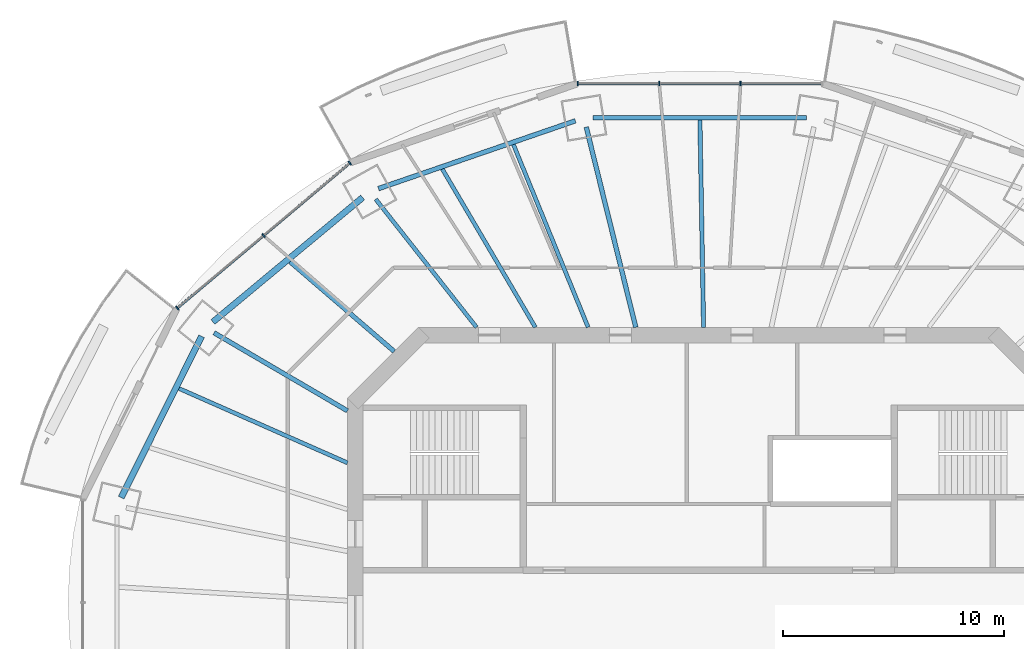
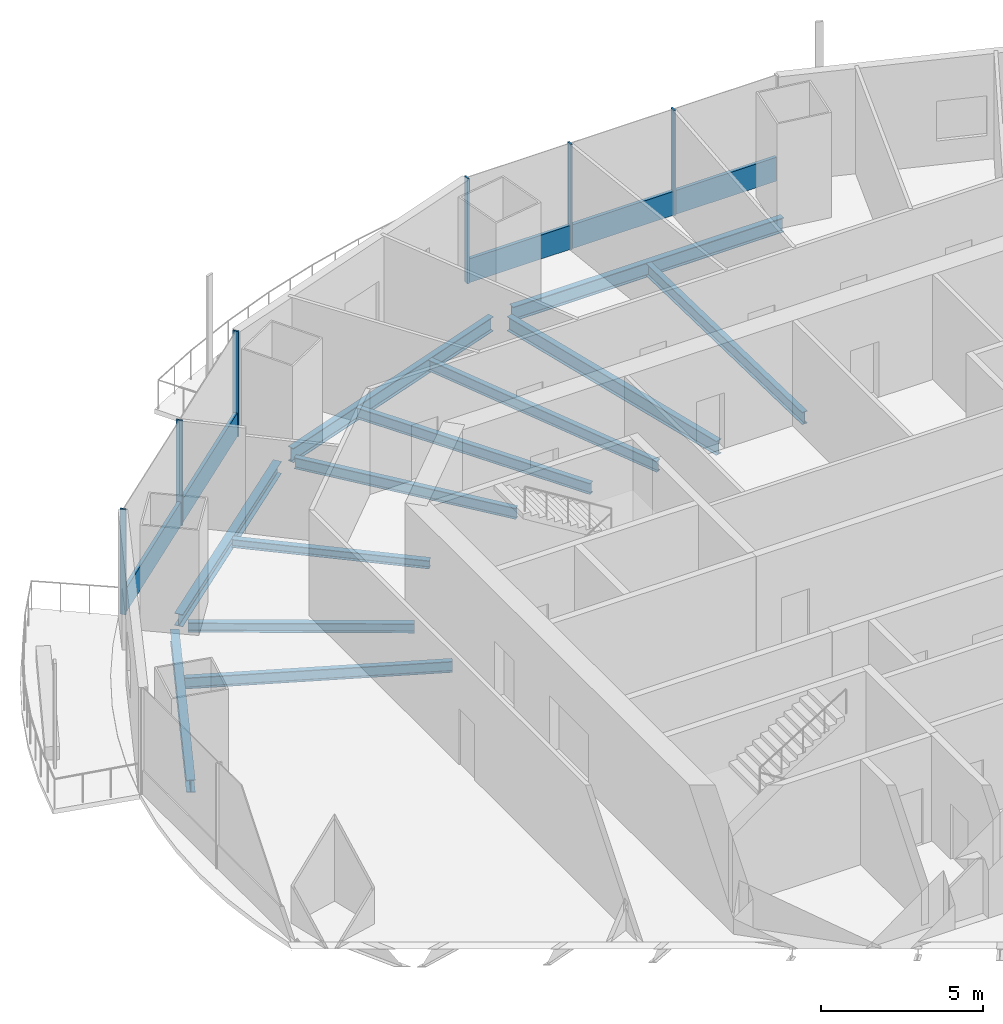
# One storey, part 5 of 16: 12 beams, 8 members, 2 elements without a shape of their own.
"""IFC4 building model written with IfcOpenShell, lengths in metres."""

from ifc_helpers import new_model, si_unit, direction, frame, origin, origin_2d, place, context, subcontext, project, spatial, rectangle, i_section, extrude, material, material_profile, profile_set, type_object, element, aggregate, save


model = new_model("IFC4")

# Units and contexts
model_context = context("Model", 3, precision=1e-05, world=origin(), true_north=direction((0.0, 1.0)))
body_context = subcontext(model_context, "Body", "Model", "MODEL_VIEW")
ifc_project = project(units=[si_unit("LENGTHUNIT", "METRE"), si_unit("AREAUNIT", "SQUARE_METRE"), si_unit("VOLUMEUNIT", "CUBIC_METRE"), si_unit("PLANEANGLEUNIT", "RADIAN"), si_unit("MASSUNIT", "GRAM", prefix="KILO")], contexts=[model_context])

# Site, building, storey
site_placement = place(None, origin())
site = spatial("IfcSite", under=ifc_project, at=site_placement, CompositionType="ELEMENT")
building_placement = place(site_placement, origin())
building = spatial("IfcBuilding", under=site, at=building_placement, Name="Marenthal Gate Tower", CompositionType="ELEMENT")
storey_placement = place(building_placement, frame((0.0, 0.0, 305.25)))
storey = spatial("IfcBuildingStorey", under=building, at=storey_placement, Name="L68", CompositionType="ELEMENT", Elevation=305.25)

# Curtain wall, members
ifc_material_1 = material(Name="Aluminium and glass", Category="aluminium")
curtain_wall_type = type_object("IfcCurtainWallType", Name="Curtain wall typical high", PredefinedType="NOTDEFINED", material=ifc_material_1)
curtain_wall_1_placement = place(storey_placement, origin())
curtain_wall_1 = element("IfcCurtainWall", 1, at=curtain_wall_1_placement, inside=storey, type_object=curtain_wall_type, Name="Curtain wall L68 bay 4", PredefinedType="NOTDEFINED")
ifc_material_2 = material(Name="Aluminium", Category="aluminium")
ifc_material_profile_1 = material_profile(ifc_material_2, rectangle(XDim=0.199951171875, YDim=0.06005859375, at=origin_2d()), Name="60x200 aluminium mullion")
ifc_profile_set_1 = profile_set([ifc_material_profile_1], Name="Aluminium")
member_type_1 = type_object("IfcMemberType", Name="Mullion 60x200 typical high", PredefinedType="MULLION", material=ifc_profile_set_1)
member_1_placement = place(storey_placement, frame((1.44189453125, 24.3779296875, 0.0), z_axis=(0.0, 0.0, 1.0), x_axis=(0.0, -1.0, 0.0)))
member_1 = element("IfcMember", 2, at=member_1_placement, type_object=member_type_1, Name="Mullion L68 bay 4.2", PredefinedType="MULLION", context=body_context, shape_type="SweptSolid", body=[
    extrude(rectangle(XDim=0.199951171875, YDim=0.06005859375, at=origin_2d()), origin(), (0.0, 0.0, 1.0), 3.969970703125),
])
member_2_placement = place(storey_placement, frame((-2.24169921875, 24.3779296875, 0.0), z_axis=(0.0, 0.0, 1.0), x_axis=(0.0, -1.0, 0.0)))
member_2 = element("IfcMember", 3, at=member_2_placement, type_object=member_type_1, Name="Mullion L68 bay 4.3", PredefinedType="MULLION", context=body_context, shape_type="SweptSolid", body=[
    extrude(rectangle(XDim=0.199951171875, YDim=0.06005859375, at=origin_2d()), origin(), (0.0, 0.0, 1.0), 3.969970703125),
])
member_3_placement = place(storey_placement, frame((-5.92529296875, 24.3779296875, 0.0), z_axis=(0.0, 0.0, 1.0), x_axis=(0.0, -1.0, 0.0)))
member_3 = element("IfcMember", 4, at=member_3_placement, type_object=member_type_1, Name="Mullion L68 bay 4.4", PredefinedType="MULLION", context=body_context, shape_type="SweptSolid", body=[
    extrude(rectangle(XDim=0.199951171875, YDim=0.06005859375, at=origin_2d()), origin(), (0.0, 0.0, 1.0), 3.969970703125),
])

curtain_wall_2_placement = place(storey_placement, origin())
curtain_wall_2 = element("IfcCurtainWall", 5, at=curtain_wall_2_placement, inside=storey, type_object=curtain_wall_type, Name="Curtain wall L68 bay 6", PredefinedType="NOTDEFINED")
member_4_placement = place(storey_placement, frame((-16.243408203125, 20.784423828125, 0.0), z_axis=(0.0, 0.0, 1.0), x_axis=(0.643479945432, -0.765462970905, 0.0)))
member_4 = element("IfcMember", 6, at=member_4_placement, type_object=member_type_1, Name="Mullion L68 bay 6.1", PredefinedType="MULLION", context=body_context, shape_type="SweptSolid", body=[
    extrude(rectangle(XDim=0.199951171875, YDim=0.06005859375, at=origin_2d()), origin(), (0.0, 0.0, 1.0), 3.969970703125),
])
member_5_placement = place(storey_placement, frame((-20.148681640625, 17.50146484375, 0.0), z_axis=(0.0, 0.0, 1.0), x_axis=(0.643479945432, -0.765462970905, 0.0)))
member_5 = element("IfcMember", 7, at=member_5_placement, type_object=member_type_1, Name="Mullion L68 bay 6.2", PredefinedType="MULLION", context=body_context, shape_type="SweptSolid", body=[
    extrude(rectangle(XDim=0.199951171875, YDim=0.06005859375, at=origin_2d()), origin(), (0.0, 0.0, 1.0), 3.969970703125),
])
member_6_placement = place(storey_placement, frame((-24.053955078125, 14.218505859375, 0.0), z_axis=(0.0, 0.0, 1.0), x_axis=(0.643479945432, -0.765462970905, 0.0)))
member_6 = element("IfcMember", 8, at=member_6_placement, type_object=member_type_1, Name="Mullion L68 bay 6.3", PredefinedType="MULLION", context=body_context, shape_type="SweptSolid", body=[
    extrude(rectangle(XDim=0.199951171875, YDim=0.06005859375, at=origin_2d()), origin(), (0.0, 0.0, 1.0), 3.969970703125),
])

# Member
ifc_material_3 = material(Name="Aluminium", Category="aluminium")
ifc_material_profile_2 = material_profile(ifc_material_3, rectangle(XDim=0.1201171875, YDim=0.89990234375, at=origin_2d()), Name="120x900 aluminium transom")
ifc_profile_set_2 = profile_set([ifc_material_profile_2], Name="Aluminium")
member_type_2 = type_object("IfcMemberType", Name="Transom 120x900 typical high", PredefinedType="USERDEFINED", material=ifc_profile_set_2)
member_7_placement = place(storey_placement, frame((5.095458984375, 24.3779296875, 0.449951171875), z_axis=(-1.0, 0.0, 0.0), x_axis=(0.0, -1.0, 0.0)))
member_7 = element("IfcMember", 9, at=member_7_placement, type_object=member_type_2, Name="Transom L68 bay 4", ObjectType="TRANSOM", PredefinedType="USERDEFINED", context=body_context, shape_type="SweptSolid", body=[
    extrude(rectangle(XDim=0.1201171875, YDim=0.89990234375, at=origin_2d()), origin(), (0.0, 0.0, 1.0), 10.990966796875),
])

aggregate(curtain_wall_1, [member_1, member_2, member_3, member_7])

member_8_placement = place(storey_placement, frame((-16.266357421875, 20.76513671875, 0.449951171875), z_axis=(-0.765460155219, -0.643483294866, 0.0), x_axis=(0.643483294866, -0.765460155219, 0.0)))
member_8 = element("IfcMember", 10, at=member_8_placement, type_object=member_type_2, Name="Transom L68 bay 6", ObjectType="TRANSOM", PredefinedType="USERDEFINED", context=body_context, shape_type="SweptSolid", body=[
    extrude(rectangle(XDim=0.1201171875, YDim=0.89990234375, at=origin_2d()), origin(), (0.0, 0.0, 1.0), 10.143798828125),
])

aggregate(curtain_wall_2, [member_4, member_5, member_6, member_8])

# Beams
ifc_material_4 = material(Name="Steel S355", Category="steel")
ifc_material_profile_3 = material_profile(ifc_material_4, i_section(OverallWidth=0.205078125, OverallDepth=0.31005859375, WebThickness=0.009521484375, FlangeThickness=0.016357421875, FilletRadius=0.0126953125, at=origin_2d()), Name="W310X74")
ifc_profile_set_3 = profile_set([ifc_material_profile_3], Name="Steel S355")
beam_type_1 = type_object("IfcBeamType", Name="W310X74 beam", PredefinedType="BEAM", material=ifc_profile_set_3)
beam_1_placement = place(storey_placement, frame((-18.94580078125, 16.3134765625, -0.3349609375), z_axis=(0.757787687863, -0.652501203158, 0.0), x_axis=(0.652501203158, 0.757787687863, 0.0)))
element("IfcBeam", 11, at=beam_1_placement, inside=storey, type_object=beam_type_1, Name="BM-L68-25", PredefinedType="BEAM", context=body_context, shape_type="SweptSolid", body=[
    extrude(i_section(OverallWidth=0.205078125, OverallDepth=0.31005859375, WebThickness=0.009521484375, FlangeThickness=0.016357421875, FilletRadius=0.0126953125, at=origin_2d()), origin(), (0.0, 0.0, 1.0), 6.21435546875),
])
ifc_material_5 = material(Name="Steel S355", Category="steel")
ifc_material_profile_4 = material_profile(ifc_material_5, i_section(OverallWidth=0.205078125, OverallDepth=0.35302734375, WebThickness=0.009521484375, FlangeThickness=0.016845703125, FilletRadius=0.014892578125, at=origin_2d()), Name="W360X79")
ifc_profile_set_4 = profile_set([ifc_material_profile_4], Name="Steel S355")
beam_type_2 = type_object("IfcBeamType", Name="W360X79 beam", PredefinedType="BEAM", material=ifc_profile_set_4)
beam_2_placement = place(storey_placement, frame((-22.3876953125, 13.1015625, -0.3564453125), z_axis=(0.863076809593, -0.505072688574, 0.0), x_axis=(0.505072688574, 0.863076809593, 0.0)))
element("IfcBeam", 12, at=beam_2_placement, inside=storey, type_object=beam_type_2, Name="BM-L68-07", PredefinedType="BEAM", context=body_context, shape_type="SweptSolid", body=[
    extrude(i_section(OverallWidth=0.205078125, OverallDepth=0.35302734375, WebThickness=0.009521484375, FlangeThickness=0.016845703125, FilletRadius=0.014892578125, at=origin_2d()), origin(), (0.0, 0.0, 1.0), 6.995361328125),
])
ifc_material_6 = material(Name="Steel S355", Category="steel")
ifc_material_profile_5 = material_profile(ifc_material_6, i_section(OverallWidth=0.180908203125, OverallDepth=0.4169921875, WebThickness=0.010986328125, FlangeThickness=0.018310546875, FilletRadius=0.01025390625, at=origin_2d()), Name="W410X85")
ifc_profile_set_5 = profile_set([ifc_material_profile_5], Name="Steel S355")
beam_type_3 = type_object("IfcBeamType", Name="W410X85 beam", PredefinedType="BEAM", material=ifc_profile_set_5)
beam_3_placement = place(storey_placement, frame((-15.072509765625, 19.146728515625, -0.388427734375), z_axis=(0.618553520336, -0.785742669377, 0.0), x_axis=(0.785742669377, 0.618553520336, 0.0)))
element("IfcBeam", 13, at=beam_3_placement, inside=storey, type_object=beam_type_3, Name="BM-L68-06", PredefinedType="BEAM", context=body_context, shape_type="SweptSolid", body=[
    extrude(i_section(OverallWidth=0.180908203125, OverallDepth=0.4169921875, WebThickness=0.010986328125, FlangeThickness=0.018310546875, FilletRadius=0.01025390625, at=origin_2d()), origin(), (0.0, 0.0, 1.0), 7.377197265625),
])
beam_4_placement = place(storey_placement, frame((-8.8388671875, 21.6171875, -0.388427734375), z_axis=(0.378477443336, -0.92561051468, 0.0), x_axis=(0.92561051468, 0.378477443336, 0.0)))
element("IfcBeam", 14, at=beam_4_placement, inside=storey, type_object=beam_type_3, Name="BM-L68-23", PredefinedType="BEAM", context=body_context, shape_type="SweptSolid", body=[
    extrude(i_section(OverallWidth=0.180908203125, OverallDepth=0.4169921875, WebThickness=0.010986328125, FlangeThickness=0.018310546875, FilletRadius=0.01025390625, at=origin_2d()), origin(), (0.0, 0.0, 1.0), 8.931396484375),
])
beam_5_placement = place(storey_placement, frame((-12.055908203125, 20.509521484375, -0.388427734375), z_axis=(0.506758017477, -0.86208834334, 0.0), x_axis=(0.86208834334, 0.506758017477, 0.0)))
element("IfcBeam", 15, at=beam_5_placement, inside=storey, type_object=beam_type_3, Name="BM-L68-24", PredefinedType="BEAM", context=body_context, shape_type="SweptSolid", body=[
    extrude(i_section(OverallWidth=0.180908203125, OverallDepth=0.4169921875, WebThickness=0.010986328125, FlangeThickness=0.018310546875, FilletRadius=0.01025390625, at=origin_2d()), origin(), (0.0, 0.0, 1.0), 8.3046875),
])
beam_6_placement = place(storey_placement, frame((-23.97412109375, 10.57861328125, -0.388427734375), z_axis=(0.914885977249, -0.403712334011, 0.0), x_axis=(0.403712334011, 0.914885977249, 0.0)))
element("IfcBeam", 16, at=beam_6_placement, inside=storey, type_object=beam_type_3, Name="BM-L68-26", PredefinedType="BEAM", context=body_context, shape_type="SweptSolid", body=[
    extrude(i_section(OverallWidth=0.180908203125, OverallDepth=0.4169921875, WebThickness=0.010986328125, FlangeThickness=0.018310546875, FilletRadius=0.01025390625, at=origin_2d()), origin(), (0.0, 0.0, 1.0), 8.333251953125),
])
ifc_material_7 = material(Name="Steel S355", Category="steel")
ifc_material_profile_6 = material_profile(ifc_material_7, i_section(OverallWidth=0.279052734375, OverallDepth=0.4619140625, WebThickness=0.0107421875, FlangeThickness=0.017333984375, FilletRadius=0.010009765625, at=origin_2d()), Name="W460X113")
ifc_profile_set_6 = profile_set([ifc_material_profile_6], Name="Steel S355")
beam_type_4 = type_object("IfcBeamType", Name="W460X113 beam", PredefinedType="BEAM", material=ifc_profile_set_6)
beam_7_placement = place(storey_placement, frame((-15.662353515625, 19.22412109375, -0.410888671875), z_axis=(-0.768999341682, -0.639249569802, 0.0), x_axis=(0.639249569802, -0.768999341682, 0.0)))
element("IfcBeam", 17, at=beam_7_placement, inside=storey, type_object=beam_type_4, Name="BM-L68-46", PredefinedType="BEAM", context=body_context, shape_type="SweptSolid", body=[
    extrude(i_section(OverallWidth=0.279052734375, OverallDepth=0.4619140625, WebThickness=0.0107421875, FlangeThickness=0.017333984375, FilletRadius=0.010009765625, at=origin_2d()), origin(), (0.0, 0.0, 1.0), 8.8154296875),
])
beam_8_placement = place(storey_placement, frame((-22.950927734375, 12.9443359375, -0.410888671875), z_axis=(-0.44599242953, -0.895036732655, 0.0), x_axis=(0.895036732655, -0.44599242953, 0.0)))
element("IfcBeam", 18, at=beam_8_placement, inside=storey, type_object=beam_type_4, Name="BM-L68-47", PredefinedType="BEAM", context=body_context, shape_type="SweptSolid", body=[
    extrude(i_section(OverallWidth=0.279052734375, OverallDepth=0.4619140625, WebThickness=0.0107421875, FlangeThickness=0.017333984375, FilletRadius=0.010009765625, at=origin_2d()), origin(), (0.0, 0.0, 1.0), 8.15966796875),
])
ifc_material_8 = material(Name="Steel S355", Category="steel")
ifc_material_profile_7 = material_profile(ifc_material_8, i_section(OverallWidth=0.193115234375, OverallDepth=0.467041015625, WebThickness=0.011474609375, FlangeThickness=0.01904296875, FilletRadius=0.010009765625, at=origin_2d()), Name="W460X97")
ifc_profile_set_7 = profile_set([ifc_material_profile_7], Name="Steel S355")
beam_type_5 = type_object("IfcBeamType", Name="W460X97 beam", PredefinedType="BEAM", material=ifc_profile_set_7)
beam_9_placement = place(storey_placement, frame((-0.398193359375, 22.722412109375, -0.41357421875), z_axis=(0.017528370224, -0.999846366317, 0.0), x_axis=(0.999846366317, 0.017528370224, 0.0)))
element("IfcBeam", 19, at=beam_9_placement, inside=storey, type_object=beam_type_5, Name="BM-L68-22", PredefinedType="BEAM", context=body_context, shape_type="SweptSolid", body=[
    extrude(i_section(OverallWidth=0.193115234375, OverallDepth=0.467041015625, WebThickness=0.011474609375, FlangeThickness=0.01904296875, FilletRadius=0.010009765625, at=origin_2d()), origin(), (0.0, 0.0, 1.0), 9.373779296875),
])
ifc_material_9 = material(Name="Steel S355", Category="steel")
ifc_material_profile_8 = material_profile(ifc_material_9, i_section(OverallWidth=0.2099609375, OverallDepth=0.535888671875, WebThickness=0.010986328125, FlangeThickness=0.017333984375, FilletRadius=0.0126953125, at=origin_2d()), Name="W530X101")
ifc_profile_set_8 = profile_set([ifc_material_profile_8], Name="Steel S355")
beam_type_6 = type_object("IfcBeamType", Name="W530X101 beam", PredefinedType="BEAM", material=ifc_profile_set_8)
beam_10_placement = place(storey_placement, frame((-5.54443359375, 22.4130859375, -0.447998046875), z_axis=(0.240135238154, -0.970739443619, 0.0), x_axis=(0.970739443619, 0.240135238154, 0.0)))
element("IfcBeam", 20, at=beam_10_placement, inside=storey, type_object=beam_type_6, Name="BM-L68-05", PredefinedType="BEAM", context=body_context, shape_type="SweptSolid", body=[
    extrude(i_section(OverallWidth=0.2099609375, OverallDepth=0.535888671875, WebThickness=0.010986328125, FlangeThickness=0.017333984375, FilletRadius=0.0126953125, at=origin_2d()), origin(), (0.0, 0.0, 1.0), 9.336181640625),
])
ifc_material_10 = material(Name="Steel S355", Category="steel")
ifc_material_profile_9 = material_profile(ifc_material_10, i_section(OverallWidth=0.2119140625, OverallDepth=0.5439453125, WebThickness=0.01318359375, FlangeThickness=0.021240234375, FilletRadius=0.0126953125, at=origin_2d()), Name="W530X123")
ifc_profile_set_9 = profile_set([ifc_material_profile_9], Name="Steel S355")
beam_type_7 = type_object("IfcBeamType", Name="W530X123 beam", PredefinedType="BEAM", material=ifc_profile_set_9)
beam_11_placement = place(storey_placement, frame((4.434814453125, 22.828369140625, -0.451904296875), z_axis=(-1.0, 0.0, 0.0), x_axis=(0.0, -1.0, 0.0)))
element("IfcBeam", 21, at=beam_11_placement, inside=storey, type_object=beam_type_7, Name="BM-L68-44", PredefinedType="BEAM", context=body_context, shape_type="SweptSolid", body=[
    extrude(i_section(OverallWidth=0.2119140625, OverallDepth=0.5439453125, WebThickness=0.01318359375, FlangeThickness=0.021240234375, FilletRadius=0.0126953125, at=origin_2d()), origin(), (0.0, 0.0, 1.0), 9.669677734375),
])
beam_12_placement = place(storey_placement, frame((-6.037353515625, 22.694091796875, -0.451904296875), z_axis=(-0.945516546664, -0.325574046853, 0.0), x_axis=(0.325574046853, -0.945516546664, 0.0)))
element("IfcBeam", 22, at=beam_12_placement, inside=storey, type_object=beam_type_7, Name="BM-L68-45", PredefinedType="BEAM", context=body_context, shape_type="SweptSolid", body=[
    extrude(i_section(OverallWidth=0.2119140625, OverallDepth=0.5439453125, WebThickness=0.01318359375, FlangeThickness=0.021240234375, FilletRadius=0.0126953125, at=origin_2d()), origin(), (0.0, 0.0, 1.0), 9.427490234375),
])

save(model, "model.ifc")
